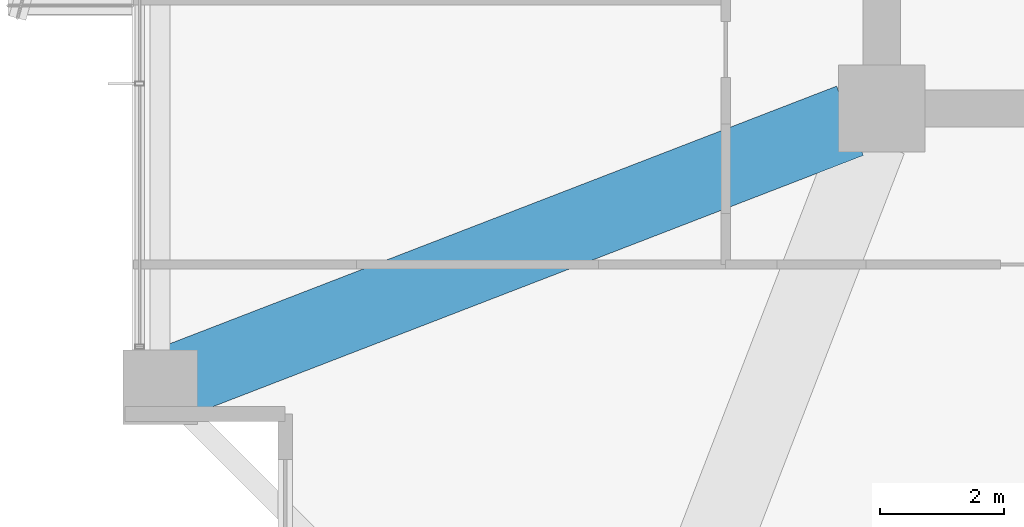
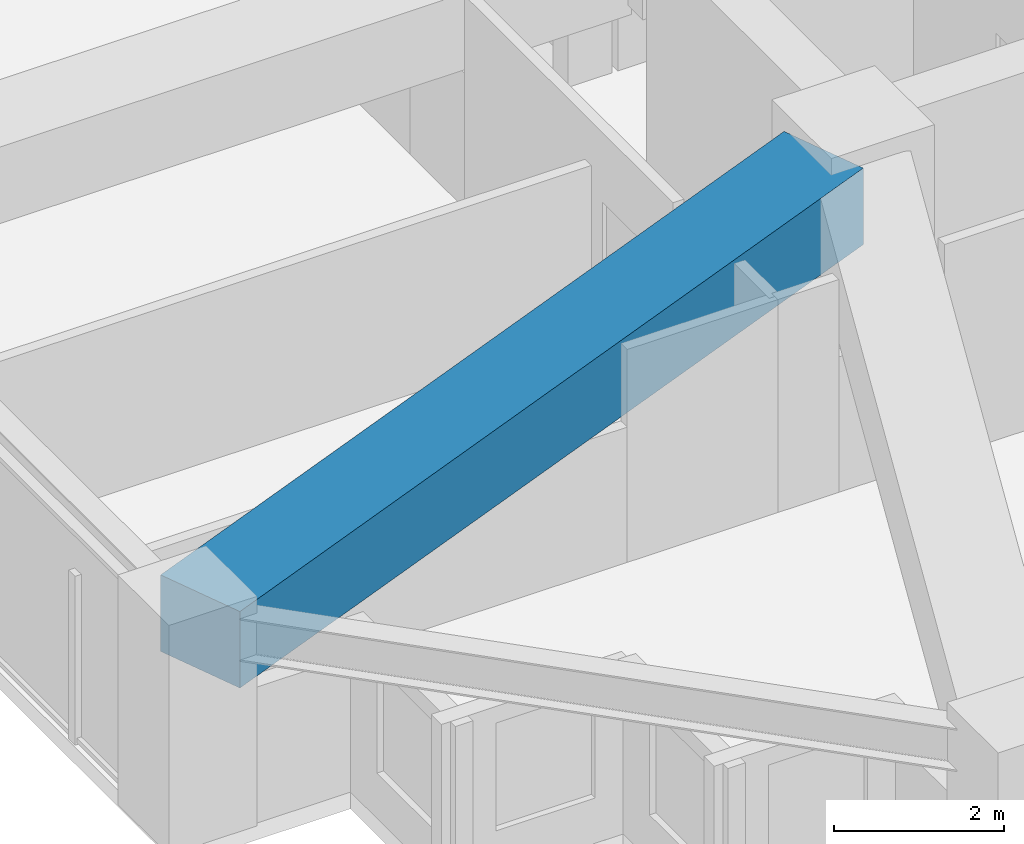
# One storey, part 4 of 39: 1 beam.
"""IFC4 building model written with IfcOpenShell, lengths in metres."""

from ifc_helpers import new_model, si_unit, direction, frame, origin, origin_2d, place, context, subcontext, project, spatial, rectangle, extrude, material, material_profile, profile_set, type_object, element, save


model = new_model("IFC4")

# Units and contexts
model_context = context("Model", 3, precision=1e-05, world=origin(), true_north=direction((0.0, 1.0)))
body_context = subcontext(model_context, "Body", "Model", "MODEL_VIEW")
ifc_project = project(units=[si_unit("LENGTHUNIT", "METRE"), si_unit("AREAUNIT", "SQUARE_METRE"), si_unit("VOLUMEUNIT", "CUBIC_METRE"), si_unit("PLANEANGLEUNIT", "RADIAN"), si_unit("MASSUNIT", "GRAM", prefix="KILO")], contexts=[model_context])

# Site, building, storey
site_placement = place(None, origin())
site = spatial("IfcSite", under=ifc_project, at=site_placement, CompositionType="ELEMENT")
building_placement = place(site_placement, origin())
building = spatial("IfcBuilding", under=site, at=building_placement, Name="Kolvaren Belvedere", CompositionType="ELEMENT")
storey_placement = place(building_placement, frame((0.0, 0.0, 33.699951171875)))
storey = spatial("IfcBuildingStorey", under=building, at=storey_placement, Name="L09", CompositionType="ELEMENT", Elevation=33.699951171875)

# Beam
ifc_material = material(Name="Concrete C50/60", Category="concrete")
ifc_material_profile = material_profile(ifc_material, rectangle(XDim=1.199951171875, YDim=1.10009765625, at=origin_2d()), Name="RC 1200X1100")
ifc_profile_set = profile_set([ifc_material_profile], Name="Concrete C50/60")
beam_type = type_object("IfcBeamType", Name="BM-TG-1100", PredefinedType="BEAM", material=ifc_profile_set)
beam_placement = place(storey_placement, frame((-10.4130859375, -10.09814453125, 2.510009765625), z_axis=(-0.932829382313, -0.360318391835, 0.0), x_axis=(0.360318391835, -0.932829382313, 0.0)))
element("IfcBeam", 1, at=beam_placement, inside=storey, type_object=beam_type, Name="L09 Corner Core-to-Perimeter Girder CC1-W1", PredefinedType="BEAM", context=body_context, shape_type="SweptSolid", body=[
    extrude(rectangle(XDim=1.199951171875, YDim=1.10009765625, at=origin_2d()), origin(), (0.0, 0.0, 1.0), 11.698974609375),
])

save(model, "model.ifc")
